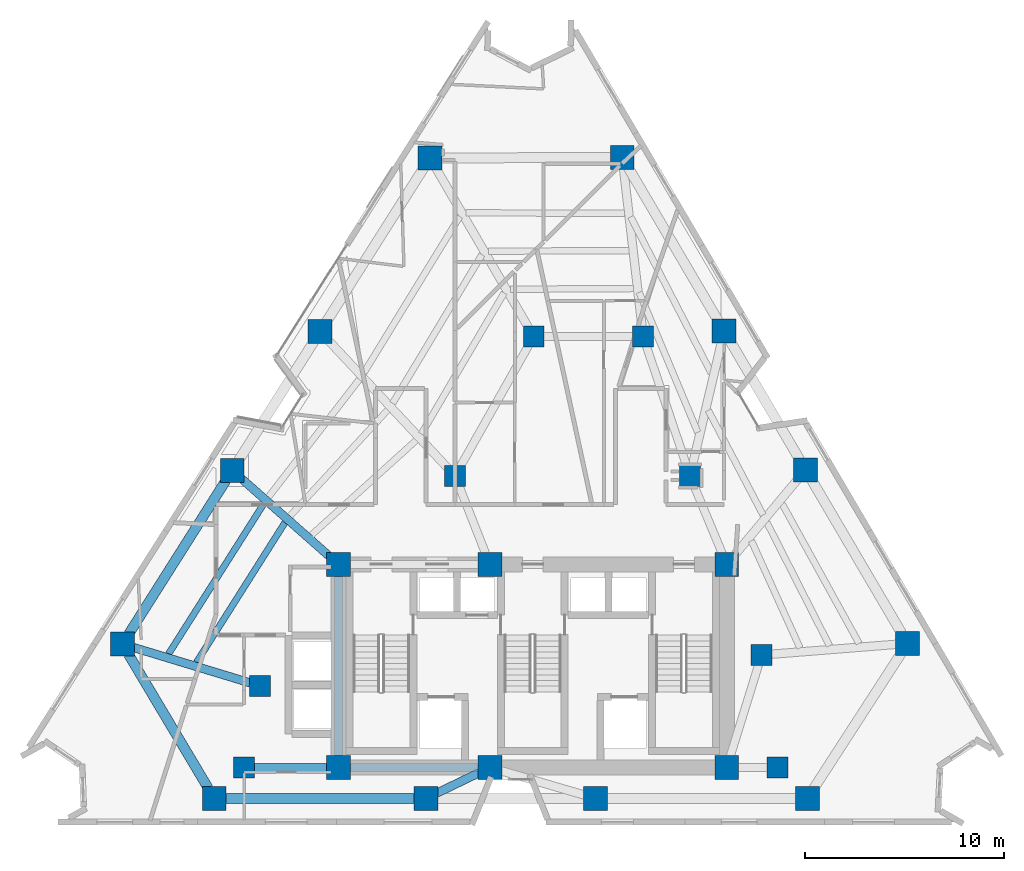
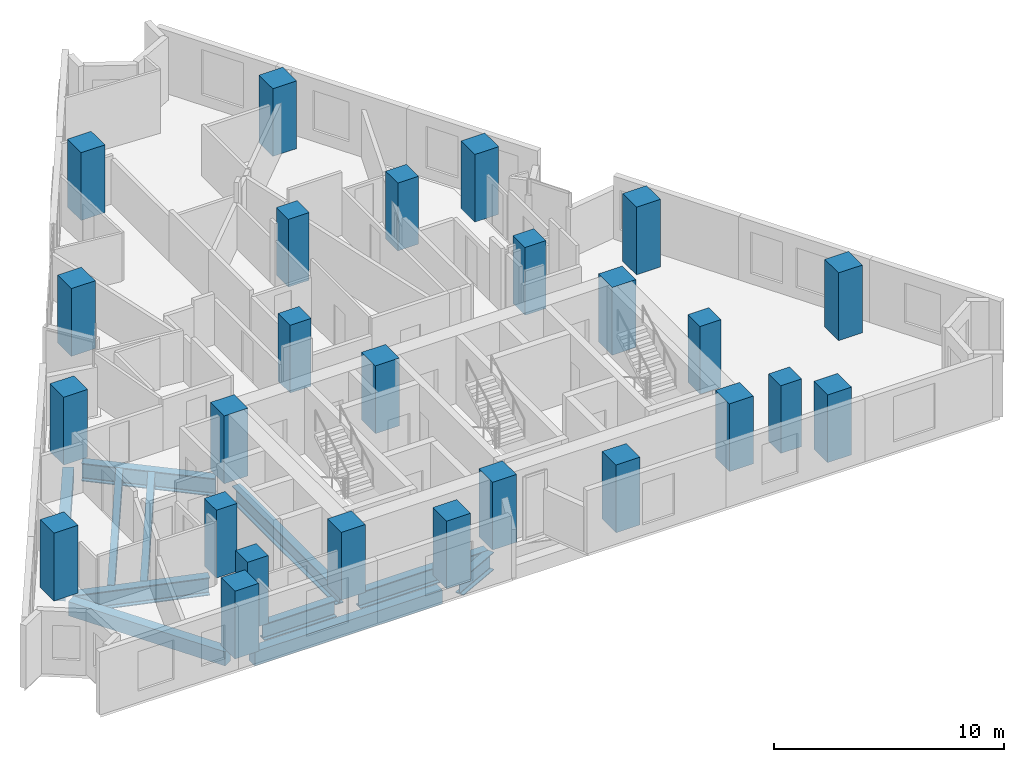
# One storey, part 1 of 12: 26 columns, 11 beams.
"""IFC4 building model written with IfcOpenShell, lengths in metres."""

from ifc_helpers import new_model, si_unit, direction, frame, origin, origin_2d, place, context, subcontext, project, spatial, rectangle, i_section, extrude, material, material_profile, profile_set, type_object, element, save


model = new_model("IFC4")

# Units and contexts
model_context = context("Model", 3, precision=1e-05, world=origin(), true_north=direction((0.0, 1.0)))
body_context = subcontext(model_context, "Body", "Model", "MODEL_VIEW")
ifc_project = project(units=[si_unit("LENGTHUNIT", "METRE"), si_unit("AREAUNIT", "SQUARE_METRE"), si_unit("VOLUMEUNIT", "CUBIC_METRE"), si_unit("PLANEANGLEUNIT", "RADIAN"), si_unit("MASSUNIT", "GRAM", prefix="KILO")], contexts=[model_context])

# Site, building, storey
site_placement = place(None, origin())
site = spatial("IfcSite", under=ifc_project, at=site_placement, CompositionType="ELEMENT")
building_placement = place(site_placement, origin())
building = spatial("IfcBuilding", under=site, at=building_placement, Name="Almagre Mirador Tower", CompositionType="ELEMENT")
storey_placement = place(building_placement, frame((0.0, 0.0, 114.0)))
storey = spatial("IfcBuildingStorey", under=building, at=storey_placement, Name="L28", CompositionType="ELEMENT", Elevation=114.0)

# Columns
ifc_material_1 = material(Name="Concrete C60/75", Category="concrete")
ifc_material_profile_1 = material_profile(ifc_material_1, rectangle(XDim=1.050048828125, YDim=1.050048828125, at=origin_2d()), Name="RC1050X1050")
ifc_profile_set_1 = profile_set([ifc_material_profile_1], Name="Concrete C60/75")
column_type_1 = type_object("IfcColumnType", Name="COL-RC1050", PredefinedType="COLUMN", material=ifc_profile_set_1)
for number, where, z_axis, x_axis, name in (
    (1, (22.800048828125, 4.550048828125, 0.0), (0.0, 0.0, 1.0), (1.0, 0.0, 0.0), "L28 interior transfer column MC1"),
    (2, (49.60009765625, 4.550048828125, 0.0), (0.0, 0.0, 1.0), (1.0, 0.0, 0.0), "L28 interior transfer column MC2"),
    (3, (48.800048828125, 10.199951171875, 0.0), (0.0, 0.0, 1.0), (1.0, 0.0, 0.0), "L28 interior transfer column MC3"),
    (4, (45.199951171875, 19.199951171875, 0.0), (0.0, 0.0, 1.0), (1.0, 0.0, 0.0), "L28 interior transfer column MC5"),
    (5, (42.85009765625, 26.199951171875, 0.0), (0.0, 0.0, 1.0), (1.0, 0.0, 0.0), "L28 interior transfer column MC6"),
    (6, (37.35009765625, 26.199951171875, 0.0), (0.0, 0.0, 1.0), (1.0, 0.0, 0.0), "L28 interior transfer column MC7"),
    (7, (33.39990234375, 19.199951171875, 0.0), (0.0, 0.0, 1.0), (1.0, 0.0, 0.0), "L28 interior transfer column MC8"),
    (8, (23.60009765625, 8.64990234375, 0.0), (0.0, 0.0, 1.0), (1.0, 0.0, 0.0), "L28 interior transfer column MC10"),
):
    element("IfcColumn", number, at=place(storey_placement, frame(where, z_axis=z_axis, x_axis=x_axis)), inside=storey, type_object=column_type_1, Name=name, PredefinedType="COLUMN", context=body_context, shape_type="SweptSolid", body=[
        extrude(rectangle(XDim=1.050048828125, YDim=1.050048828125, at=origin_2d()), origin(), (0.0, 0.0, 1.0), 3.60009765625),
    ])
ifc_material_2 = material(Name="Concrete C60/75", Category="concrete")
ifc_material_profile_2 = material_profile(ifc_material_2, rectangle(XDim=1.199951171875, YDim=1.199951171875, at=origin_2d()), Name="RC1200X1200")
ifc_profile_set_2 = profile_set([ifc_material_profile_2], Name="Concrete C60/75")
column_type_2 = type_object("IfcColumnType", Name="COL-RC1200", PredefinedType="COLUMN", material=ifc_profile_set_2)
for number, where, z_axis, x_axis, name in (
    (9, (27.550048828125, 4.550048828125, 0.0), (0.0, 0.0, 1.0), (1.0, 0.0, 0.0), "L28 core spine column CC1"),
    (10, (35.14990234375, 4.550048828125, 0.0), (0.0, 0.0, 1.0), (1.0, 0.0, 0.0), "L28 core spine column CC2"),
    (11, (47.050048828125, 4.550048828125, 0.0), (0.0, 0.0, 1.0), (1.0, 0.0, 0.0), "L28 core spine column CC3"),
    (12, (27.550048828125, 14.75, 0.0), (0.0, 0.0, 1.0), (1.0, 0.0, 0.0), "L28 core spine column CC4"),
    (13, (35.14990234375, 14.75, 0.0), (0.0, 0.0, 1.0), (1.0, 0.0, 0.0), "L28 core spine column CC5"),
    (14, (47.050048828125, 14.75, 0.0), (0.0, 0.0, 1.0), (1.0, 0.0, 0.0), "L28 core spine column CC6"),
    (15, (21.303955078125, 3.0, 0.0), (0.0, 0.0, 1.0), (1.0, 0.0, 0.0), "L28 perimeter column PC01"),
    (16, (31.944091796875, 3.0, 0.0), (0.0, 0.0, 1.0), (1.0, 0.0, 0.0), "L28 perimeter column PC02"),
    (17, (40.4560546875, 3.0, 0.0), (0.0, 0.0, 1.0), (1.0, 0.0, 0.0), "L28 perimeter column PC03"),
    (18, (51.095947265625, 3.0, 0.0), (0.0, 0.0, 1.0), (1.0, 0.0, 0.0), "L28 perimeter column PC04"),
    (19, (56.133056640625, 10.783935546875, 0.0), (0.0, 0.0, 1.0), (1.0, 0.0, 0.0), "L28 perimeter column PC05"),
    (20, (51.012939453125, 19.50390625, 0.0), (0.0, 0.0, 1.0), (1.0, 0.0, 0.0), "L28 perimeter column PC06"),
    (21, (46.9169921875, 26.47998046875, 0.0), (0.0, 0.0, 1.0), (1.0, 0.0, 0.0), "L28 perimeter column PC07"),
    (22, (41.797119140625, 35.199951171875, 0.0), (0.0, 0.0, 1.0), (1.0, 0.0, 0.0), "L28 perimeter column PC08"),
    (23, (32.14208984375, 35.166015625, 0.0), (0.0, 0.0, 1.0), (1.0, 0.0, 0.0), "L28 perimeter column PC09"),
    (24, (26.6220703125, 26.446044921875, 0.0), (0.0, 0.0, 1.0), (1.0, 0.0, 0.0), "L28 perimeter column PC10"),
    (25, (22.2060546875, 19.469970703125, 0.0), (0.0, 0.0, 1.0), (1.0, 0.0, 0.0), "L28 perimeter column PC11"),
    (26, (16.68603515625, 10.75, 0.0), (0.0, 0.0, 1.0), (1.0, 0.0, 0.0), "L28 perimeter column PC12"),
):
    element("IfcColumn", number, at=place(storey_placement, frame(where, z_axis=z_axis, x_axis=x_axis)), inside=storey, type_object=column_type_2, Name=name, PredefinedType="COLUMN", context=body_context, shape_type="SweptSolid", body=[
        extrude(rectangle(XDim=1.199951171875, YDim=1.199951171875, at=origin_2d()), origin(), (0.0, 0.0, 1.0), 3.60009765625),
    ])

# Beams
ifc_material_3 = material(Name="Steel ASTM A992 Grade 50", Category="steel")
ifc_material_profile_3 = material_profile(ifc_material_3, i_section(OverallWidth=0.323974609375, OverallDepth=0.611083984375, WebThickness=0.0126953125, FlangeThickness=0.01904296875, FilletRadius=0.02001953125, at=origin_2d()), Name="W24X104")
ifc_profile_set_3 = profile_set([ifc_material_profile_3], Name="Steel ASTM A992 Grade 50")
beam_type_1 = type_object("IfcBeamType", Name="BM-JST-W24X104", PredefinedType="JOIST", material=ifc_profile_set_3)
beam_1_placement = place(storey_placement, frame((23.786865234375, 17.794921875, -0.555419921875), z_axis=(-0.535495866199, -0.844537848343, 0.0), x_axis=(0.844537848343, -0.535495866199, 0.0)))
element("IfcBeam", 27, at=beam_1_placement, inside=storey, type_object=beam_type_1, Name="L28 secondary floor joist PC11-PC12.1", PredefinedType="JOIST", context=body_context, shape_type="SweptSolid", body=[
    extrude(i_section(OverallWidth=0.323974609375, OverallDepth=0.611083984375, WebThickness=0.0126953125, FlangeThickness=0.01904296875, FilletRadius=0.02001953125, at=origin_2d()), origin(), (0.0, 0.0, 1.0), 8.924560546875),
])
beam_2_placement = place(storey_placement, frame((24.853759765625, 16.852783203125, -0.555419921875), z_axis=(-0.534944431022, -0.844887244382, 0.0), x_axis=(0.844887244382, -0.534944431022, 0.0)))
element("IfcBeam", 28, at=beam_2_placement, inside=storey, type_object=beam_type_1, Name="L28 secondary floor joist PC11-PC12.2", PredefinedType="JOIST", context=body_context, shape_type="SweptSolid", body=[
    extrude(i_section(OverallWidth=0.323974609375, OverallDepth=0.611083984375, WebThickness=0.0126953125, FlangeThickness=0.01904296875, FilletRadius=0.02001953125, at=origin_2d()), origin(), (0.0, 0.0, 1.0), 8.309326171875),
])
ifc_material_4 = material(Name="Precast concrete C50/60", Category="concrete")
ifc_material_profile_4 = material_profile(ifc_material_4, rectangle(XDim=0.5, YDim=0.75, at=origin_2d()), Name="RC500X750")
ifc_profile_set_4 = profile_set([ifc_material_profile_4], Name="Precast concrete C50/60")
beam_type_2 = type_object("IfcBeamType", Name="BM-SPN-RC500X750", PredefinedType="SPANDREL", material=ifc_profile_set_4)
beam_3_placement = place(storey_placement, frame((21.904052734375, 3.0, -0.625), z_axis=(1.0, 0.0, 0.0), x_axis=(0.0, 1.0, 0.0)))
element("IfcBeam", 29, at=beam_3_placement, inside=storey, type_object=beam_type_2, Name="L28 perimeter spandrel beam PC01-PC02", PredefinedType="SPANDREL", context=body_context, shape_type="SweptSolid", body=[
    extrude(rectangle(XDim=0.5, YDim=0.75, at=origin_2d()), origin(), (0.0, 0.0, 1.0), 9.43994140625),
])
beam_4_placement = place(storey_placement, frame((21.885009765625, 18.962890625, -0.625), z_axis=(-0.534882027559, -0.844926752207, 0.0), x_axis=(0.844926752207, -0.534882027559, 0.0)))
element("IfcBeam", 30, at=beam_4_placement, inside=storey, type_object=beam_type_2, Name="L28 perimeter spandrel beam PC11-PC12", PredefinedType="SPANDREL", context=body_context, shape_type="SweptSolid", body=[
    extrude(rectangle(XDim=0.5, YDim=0.75, at=origin_2d()), origin(), (0.0, 0.0, 1.0), 9.1201171875),
])
beam_5_placement = place(storey_placement, frame((16.9931640625, 10.234619140625, -0.625), z_axis=(0.511872325073, -0.85906153611, 0.0), x_axis=(0.85906153611, 0.511872325073, 0.0)))
element("IfcBeam", 31, at=beam_5_placement, inside=storey, type_object=beam_type_2, Name="L28 perimeter spandrel beam PC12-PC01", PredefinedType="SPANDREL", context=body_context, shape_type="SweptSolid", body=[
    extrude(rectangle(XDim=0.5, YDim=0.75, at=origin_2d()), origin(), (0.0, 0.0, 1.0), 7.821533203125),
])
ifc_material_5 = material(Name="Steel ASTM A992 Grade 50", Category="steel")
ifc_material_profile_5 = material_profile(ifc_material_5, i_section(OverallWidth=0.404052734375, OverallDepth=0.884033203125, WebThickness=0.0244140625, FlangeThickness=0.0439453125, FilletRadius=0.02490234375, at=origin_2d()), Name="W33X291")
ifc_profile_set_5 = profile_set([ifc_material_profile_5], Name="Steel ASTM A992 Grade 50")
beam_type_3 = type_object("IfcBeamType", Name="BM-STL-W33X291", PredefinedType="BEAM", material=ifc_profile_set_5)
beam_6_placement = place(storey_placement, frame((28.14990234375, 4.550048828125, -0.69189453125), z_axis=(1.0, 0.0, 0.0), x_axis=(0.0, 1.0, 0.0)))
element("IfcBeam", 32, at=beam_6_placement, inside=storey, type_object=beam_type_3, Name="L28 core tie girder CC1-CC2", PredefinedType="BEAM", context=body_context, shape_type="SweptSolid", body=[
    extrude(i_section(OverallWidth=0.404052734375, OverallDepth=0.884033203125, WebThickness=0.0244140625, FlangeThickness=0.0439453125, FilletRadius=0.02490234375, at=origin_2d()), origin(), (0.0, 0.0, 1.0), 6.400146484375),
])
beam_7_placement = place(storey_placement, frame((27.550048828125, 5.14990234375, -0.69189453125), z_axis=(0.0, 1.0, 0.0), x_axis=(-1.0, 0.0, 0.0)))
element("IfcBeam", 33, at=beam_7_placement, inside=storey, type_object=beam_type_3, Name="L28 core tie girder CC1-CC4", PredefinedType="BEAM", context=body_context, shape_type="SweptSolid", body=[
    extrude(i_section(OverallWidth=0.404052734375, OverallDepth=0.884033203125, WebThickness=0.0244140625, FlangeThickness=0.0439453125, FilletRadius=0.02490234375, at=origin_2d()), origin(), (0.0, 0.0, 1.0), 9.0),
])
beam_8_placement = place(storey_placement, frame((23.324951171875, 4.550048828125, -0.69189453125), z_axis=(1.0, 0.0, 0.0), x_axis=(0.0, 1.0, 0.0)))
element("IfcBeam", 34, at=beam_8_placement, inside=storey, type_object=beam_type_3, Name="L28 core tie girder MC1-CC1", PredefinedType="BEAM", context=body_context, shape_type="SweptSolid", body=[
    extrude(i_section(OverallWidth=0.404052734375, OverallDepth=0.884033203125, WebThickness=0.0244140625, FlangeThickness=0.0439453125, FilletRadius=0.02490234375, at=origin_2d()), origin(), (0.0, 0.0, 1.0), 3.625),
])
ifc_material_6 = material(Name="Steel ASTM A992 Grade 50", Category="steel")
ifc_material_profile_6 = material_profile(ifc_material_6, i_section(OverallWidth=0.423095703125, OverallDepth=0.947998046875, WebThickness=0.02392578125, FlangeThickness=0.042724609375, FilletRadius=0.028076171875, at=origin_2d()), Name="W36X302")
ifc_profile_set_6 = profile_set([ifc_material_profile_6], Name="Steel ASTM A992 Grade 50")
beam_type_4 = type_object("IfcBeamType", Name="BM-STL-W36X302", PredefinedType="BEAM", material=ifc_profile_set_6)
beam_9_placement = place(storey_placement, frame((32.484130859375, 3.26123046875, -0.72412109375), z_axis=(0.900323968092, 0.435220349339, 0.0), x_axis=(-0.435220349339, 0.900323968092, 0.0)))
element("IfcBeam", 35, at=beam_9_placement, inside=storey, type_object=beam_type_4, Name="L28 radial floor girder PC02-CC2", PredefinedType="BEAM", context=body_context, shape_type="SweptSolid", body=[
    extrude(i_section(OverallWidth=0.423095703125, OverallDepth=0.947998046875, WebThickness=0.02392578125, FlangeThickness=0.042724609375, FilletRadius=0.028076171875, at=origin_2d()), origin(), (0.0, 0.0, 1.0), 2.361083984375),
])
beam_10_placement = place(storey_placement, frame((22.65576171875, 19.07275390625, -0.72412109375), z_axis=(0.749515768673, -0.661986489673, 0.0), x_axis=(0.661986489673, 0.749515768673, 0.0)))
element("IfcBeam", 36, at=beam_10_placement, inside=storey, type_object=beam_type_4, Name="L28 radial floor girder PC11-CC4", PredefinedType="BEAM", context=body_context, shape_type="SweptSolid", body=[
    extrude(i_section(OverallWidth=0.423095703125, OverallDepth=0.947998046875, WebThickness=0.02392578125, FlangeThickness=0.042724609375, FilletRadius=0.028076171875, at=origin_2d()), origin(), (0.0, 0.0, 1.0), 5.929931640625),
])
beam_11_placement = place(storey_placement, frame((17.260009765625, 10.57568359375, -0.72412109375), z_axis=(0.95683269583, -0.290639281913, 0.0), x_axis=(0.290639281913, 0.95683269583, 0.0)))
element("IfcBeam", 37, at=beam_11_placement, inside=storey, type_object=beam_type_4, Name="L28 radial floor girder PC12-MC10", PredefinedType="BEAM", context=body_context, shape_type="SweptSolid", body=[
    extrude(i_section(OverallWidth=0.423095703125, OverallDepth=0.947998046875, WebThickness=0.02392578125, FlangeThickness=0.042724609375, FilletRadius=0.028076171875, at=origin_2d()), origin(), (0.0, 0.0, 1.0), 6.10107421875),
])

save(model, "model.ifc")
